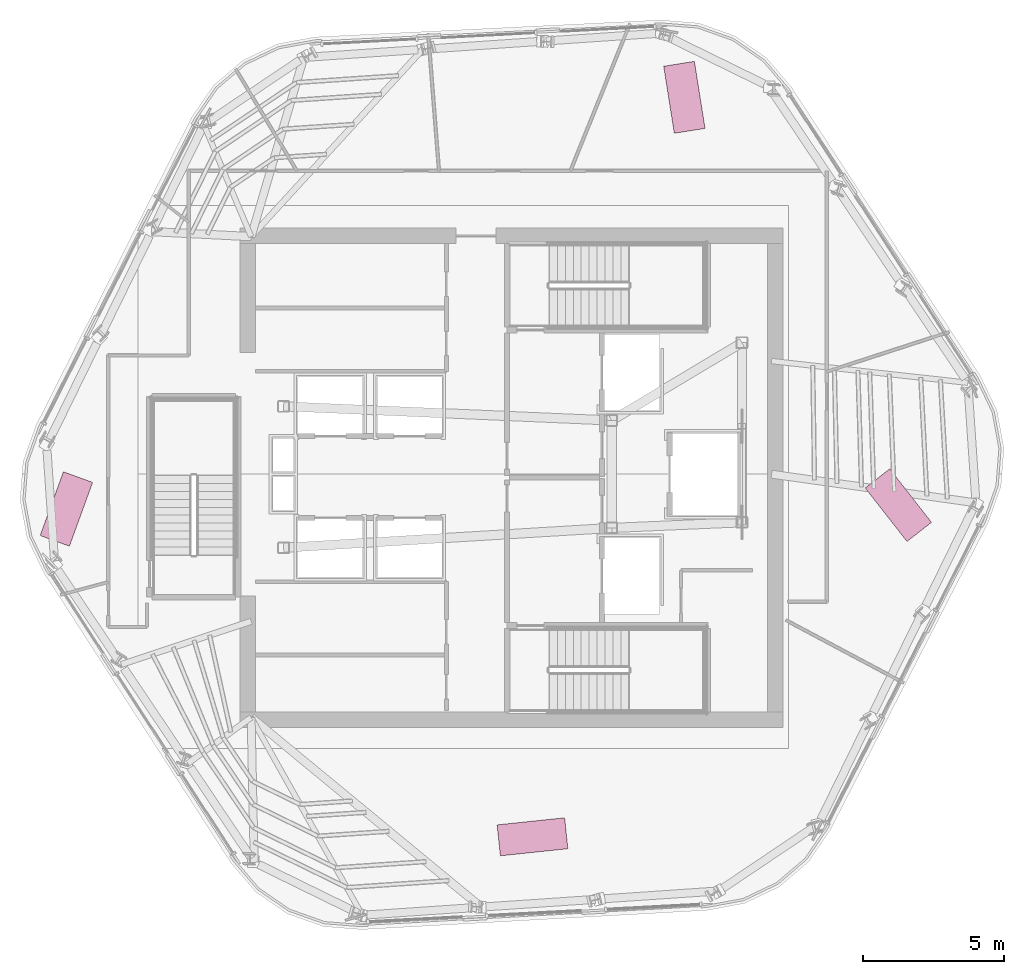
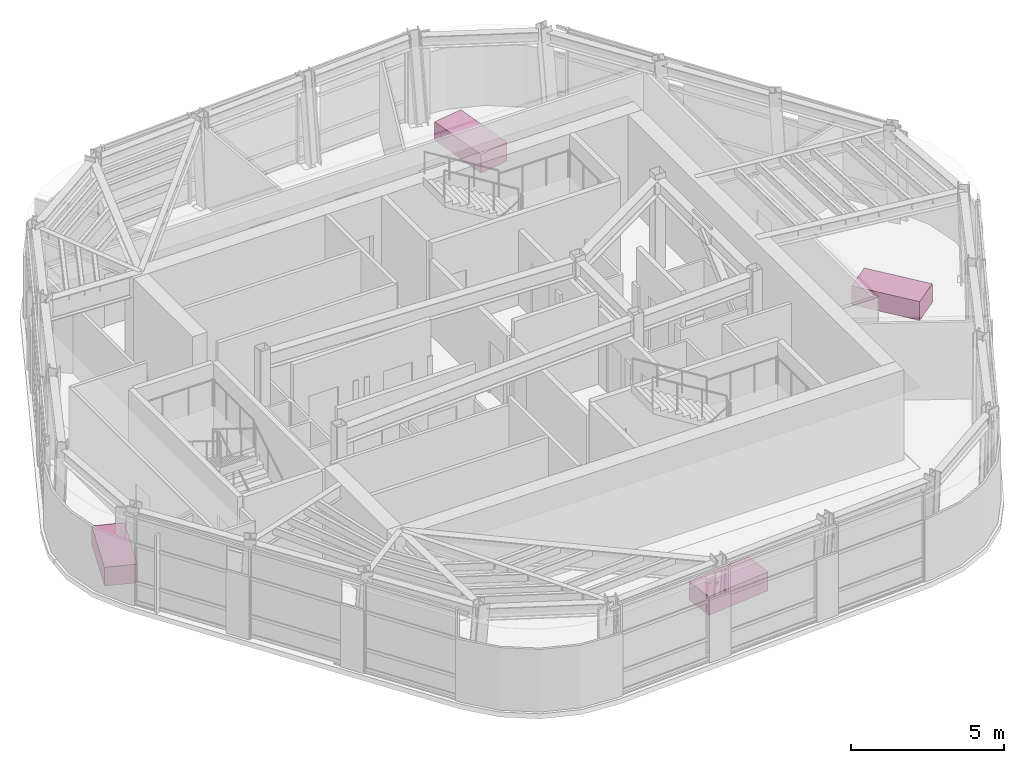
# One storey, part 13 of 13: 4 furniture elements.
"""IFC4 building model written with IfcOpenShell, lengths in metres."""

from ifc_helpers import new_model, si_unit, direction, frame, origin, origin_2d, place, context, subcontext, project, spatial, rectangle, extrude, material, type_object, element, save


model = new_model("IFC4")

# Units and contexts
model_context = context("Model", 3, precision=1e-05, world=origin(), true_north=direction((0.0, 1.0)))
body_context = subcontext(model_context, "Body", "Model", "MODEL_VIEW")
ifc_project = project(units=[si_unit("LENGTHUNIT", "METRE"), si_unit("AREAUNIT", "SQUARE_METRE"), si_unit("VOLUMEUNIT", "CUBIC_METRE"), si_unit("PLANEANGLEUNIT", "RADIAN"), si_unit("MASSUNIT", "GRAM", prefix="KILO")], contexts=[model_context])

# Site, building, storey
site_placement = place(None, origin())
site = spatial("IfcSite", under=ifc_project, at=site_placement, CompositionType="ELEMENT")
building_placement = place(site_placement, origin())
building = spatial("IfcBuilding", under=site, at=building_placement, Name="Valkerne Bourse Tower", CompositionType="ELEMENT")
storey_placement = place(building_placement, frame((0.0, 0.0, 296.39990234375)))
storey = spatial("IfcBuildingStorey", under=building, at=storey_placement, Name="L75", CompositionType="ELEMENT", Elevation=296.39990234375)

# Furniture
ifc_material = material(Name="Architectural White Oak Timber", Category="wood")
furniture_type = type_object("IfcFurnitureType", Name="FURN-DESK-2400", AssemblyPlace="NOTDEFINED", PredefinedType="DESK", material=ifc_material)
for number, where, z_axis, x_axis, name in (
    (1, (31.069091796875, 25.77099609375, 0.045166015625), (0.0, 0.0, 1.0), (0.342020143326, 0.939692620786, 0.0), "L75 Suite Worktable 05"),
    (2, (52.9169921875, 40.324951171875, 0.045166015625), (0.0, 0.0, 1.0), (-0.15643446504, 0.987688340595, 0.0), "L75 Suite Worktable 06"),
    (3, (60.48291015625, 25.905029296875, 0.045166015625), (0.0, 0.0, 1.0), (-0.615661475326, 0.788010753607, 0.0), "L75 Suite Worktable 07"),
    (4, (47.548095703125, 14.179931640625, 0.045166015625), (0.0, 0.0, 1.0), (0.994521895368, 0.104528463268, 0.0), "L75 Suite Worktable 09"),
):
    element("IfcFurniture", number, at=place(storey_placement, frame(where, z_axis=z_axis, x_axis=x_axis)), inside=storey, type_object=furniture_type, Name=name, PredefinedType="DESK", context=body_context, shape_type="SweptSolid", body=[
        extrude(rectangle(XDim=2.39990234375, YDim=1.10009765625, at=origin_2d()), origin(), (0.0, 0.0, 1.0), 0.75),
    ])

save(model, "model.ifc")
